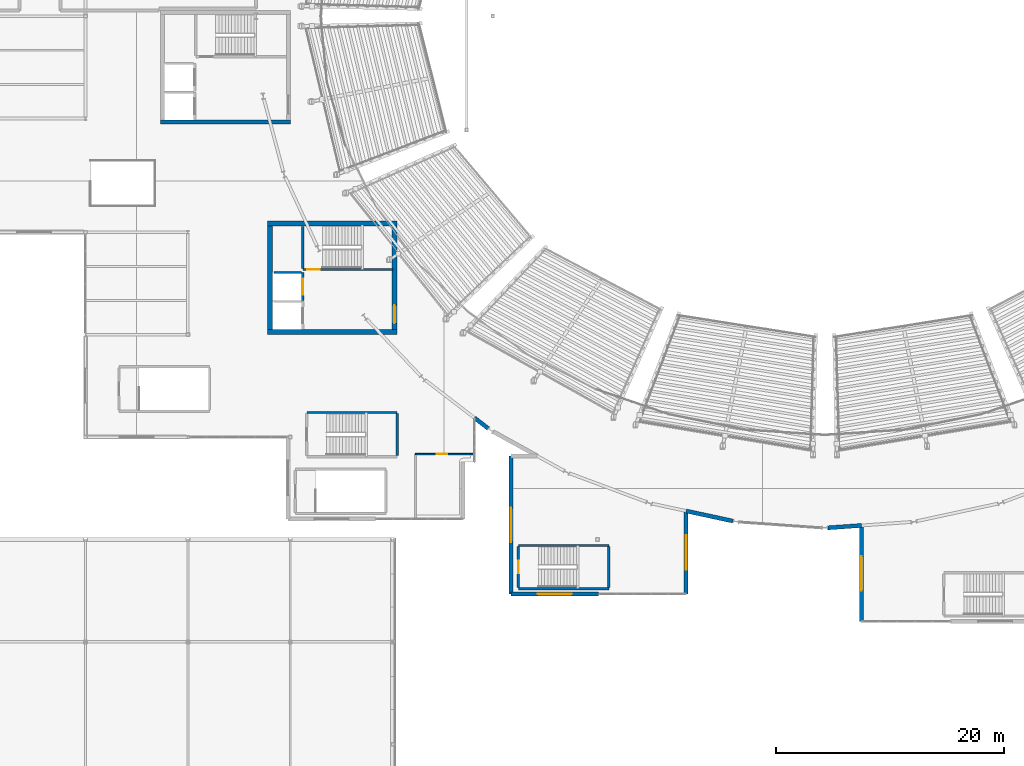
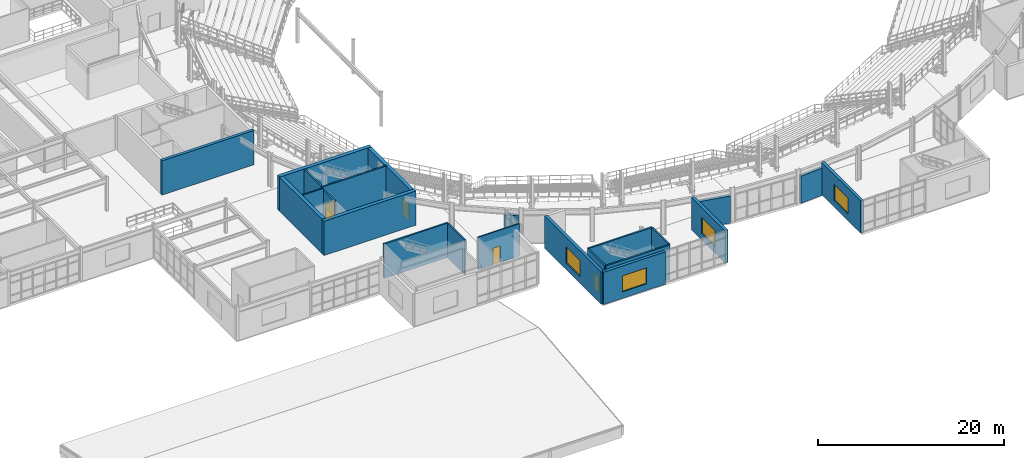
# One storey, part 54 of 81: 23 walls, 5 doors, 4 windows, 9 openings.
"""IFC4 building model written with IfcOpenShell, lengths in metres."""

from ifc_helpers import new_model, si_unit, direction, frame, frame_2d, origin, place, context, subcontext, project, spatial, rectangle, extrude, material, layer, layer_set, type_object, element, fill, save


model = new_model("IFC4")

# Units and contexts
model_context = context("Model", 3, precision=1e-05, world=origin(), true_north=direction((0.0, 1.0)))
body_context = subcontext(model_context, "Body", "Model", "MODEL_VIEW")
ifc_project = project(units=[si_unit("LENGTHUNIT", "METRE"), si_unit("AREAUNIT", "SQUARE_METRE"), si_unit("VOLUMEUNIT", "CUBIC_METRE"), si_unit("PLANEANGLEUNIT", "RADIAN"), si_unit("MASSUNIT", "GRAM", prefix="KILO")], contexts=[model_context])

# Site, building, storey
site_placement = place(None, origin())
site = spatial("IfcSite", under=ifc_project, at=site_placement, CompositionType="ELEMENT")
building_placement = place(site_placement, origin())
building = spatial("IfcBuilding", under=site, at=building_placement, Name="Glasvene Arena", CompositionType="ELEMENT")
storey_placement = place(building_placement, frame((0.0, 0.0, 15.0)))
storey = spatial("IfcBuildingStorey", under=building, at=storey_placement, Name="L03", CompositionType="ELEMENT", Elevation=15.0)

# Walls
ifc_material_1 = material(Name="Concrete C40/50", Category="concrete")
ifc_layer_1 = layer(ifc_material_1, 0.35009765625)
ifc_layer_set_1 = layer_set([ifc_layer_1], Name="Concrete C40/50")
wall_type_1 = type_object("IfcWallType", Name="WL-CORE-350", PredefinedType="SHEAR", material=ifc_layer_set_1)
wall_1_placement = place(storey_placement, frame((33.60009765625, 63.675048828125, 0.0), z_axis=(0.0, 0.0, 1.0), x_axis=(1.0, 0.0, 0.0)))
element("IfcWall", 1, at=wall_1_placement, inside=storey, type_object=wall_type_1, Name="Core C5 West Media shear wall S L03", PredefinedType="SHEAR", context=body_context, shape_type="SweptSolid", body=[
    extrude(rectangle(XDim=11.39990234375, YDim=0.35009765625, at=frame_2d((5.699951171875, 0.0))), origin(), (0.0, 0.0, 1.0), 4.5),
])
ifc_layer_2 = layer(ifc_material_1, 0.449951171875)
ifc_layer_set_2 = layer_set([ifc_layer_2], Name="Concrete C40/50")
wall_type_2 = type_object("IfcWallType", Name="WL-CORE-450", PredefinedType="SHEAR", material=ifc_layer_set_2)
for number, where, z_axis, x_axis, name in (
    (2, (43.0, 45.22509765625, 0.0), (0.0, 0.0, 1.0), (1.0, 0.0, 0.0), "Core C3 South-West shear wall S L03"),
    (3, (43.0, 54.77490234375, 0.0), (0.0, 0.0, 1.0), (1.0, 0.0, 0.0), "Core C3 South-West shear wall N L03"),
):
    element("IfcWall", number, at=place(storey_placement, frame(where, z_axis=z_axis, x_axis=x_axis)), inside=storey, type_object=wall_type_2, Name=name, PredefinedType="SHEAR", context=body_context, shape_type="SweptSolid", body=[
        extrude(rectangle(XDim=11.39990234375, YDim=0.449951171875, at=frame_2d((5.699951171875, 0.0))), origin(), (0.0, 0.0, 1.0), 4.5),
    ])
wall_2_placement = place(storey_placement, frame((43.22509765625, 45.449951171875, 0.0), z_axis=(0.0, 0.0, 1.0), x_axis=(0.0, 1.0, 0.0)))
element("IfcWall", 4, at=wall_2_placement, inside=storey, type_object=wall_type_2, Name="Core C3 South-West shear wall W L03", PredefinedType="SHEAR", context=body_context, shape_type="SweptSolid", body=[
    extrude(rectangle(XDim=9.10009765625, YDim=0.449951171875, at=frame_2d((4.550048828125, 0.0))), origin(), (0.0, 0.0, 1.0), 4.5),
])

# Wall, opening, door
wall_3_placement = place(storey_placement, frame((54.175048828125, 45.449951171875, 0.0), z_axis=(0.0, 0.0, 1.0), x_axis=(0.0, 1.0, 0.0)))
wall_3 = element("IfcWall", 5, at=wall_3_placement, inside=storey, type_object=wall_type_2, Name="Core C3 South-West shear wall E L03", PredefinedType="SHEAR", context=body_context, shape_type="SweptSolid", body=[
    extrude(rectangle(XDim=9.10009765625, YDim=0.449951171875, at=frame_2d((4.550048828125, 0.0))), origin(), (0.0, 0.0, 1.0), 4.5),
])
opening_1_placement = place(wall_3_placement, frame((0.550048828125, 0.0, 0.0)))
opening_1 = element("IfcOpeningElement", 6, at=opening_1_placement, cuts=wall_3, Name="Opening D-02", PredefinedType="OPENING", context=body_context, shape_type="SweptSolid", body=[
    extrude(rectangle(XDim=1.60009765625, YDim=2.199951171875, at=frame_2d((0.800048828125, 1.10009765625))), frame((0.0, 0.23486328125, 0.0), z_axis=(0.0, -1.0, 0.0), x_axis=(1.0, 0.0, 0.0)), (0.0, 0.0, 1.0), 0.469970703125),
])
ifc_material_2 = material(Name="Painted fire-resisting steel", Category="steel")
door_type_1 = type_object("IfcDoorType", Name="DR-FD60-1600", OperationType="DOUBLE_DOOR_SINGLE_SWING", PredefinedType="DOOR", material=ifc_material_2)
door_1_placement = place(opening_1_placement, frame((1.60009765625, 0.0, 0.0), z_axis=(0.0, 0.0, 1.0), x_axis=(-1.0, 0.0, 0.0)))
door_1 = element("IfcDoor", 7, at=door_1_placement, inside=storey, type_object=door_type_1, Name="Core firefighting lobby concourse door C3-L03", OperationType="DOUBLE_DOOR_SINGLE_SWING", OverallHeight=2.199951171875, OverallWidth=1.60009765625, PredefinedType="DOOR", context=body_context, shape_type="SweptSolid", body=[
    extrude(rectangle(XDim=1.60009765625, YDim=2.199951171875, at=frame_2d((0.800048828125, 1.10009765625))), frame((0.0, 0.02490234375, 0.0), z_axis=(0.0, -1.0, 0.0), x_axis=(1.0, 0.0, 0.0)), (0.0, 0.0, 1.0), 0.050048828125),
])
fill(opening_1, door_1)

# Wall, opening, window
ifc_material_3 = material(Name="Coursed pale Irish limestone", Category="masonry")
ifc_layer_3 = layer(ifc_material_3, 0.360107421875)
ifc_layer_set_3 = layer_set([ifc_layer_3], Name="Coursed pale Irish limestone")
wall_type_3 = type_object("IfcWallType", Name="WL-EXT-LIM-360", PredefinedType="STANDARD", material=ifc_layer_set_3)
wall_4_placement = place(storey_placement, frame((95.199951171875, 19.800048828125, 0.0), z_axis=(0.0, 0.0, 1.0), x_axis=(0.0, 1.0, 0.0)))
wall_4 = element("IfcWall", 8, at=wall_4_placement, inside=storey, type_object=wall_type_3, Name="External facade wall EW-L03-0222", PredefinedType="STANDARD", context=body_context, shape_type="SweptSolid", body=[
    extrude(rectangle(XDim=8.4267578125, YDim=0.360107421875, at=frame_2d((4.21337890625, 0.0))), origin(), (0.0, 0.0, 1.0), 4.25),
])
opening_2_placement = place(wall_4_placement, frame((2.712890625, 0.0, 0.85009765625)))
opening_2 = element("IfcOpeningElement", 9, at=opening_2_placement, cuts=wall_4, Name="Opening W-08", PredefinedType="OPENING", context=body_context, shape_type="SweptSolid", body=[
    extrude(rectangle(XDim=3.0, YDim=2.10009765625, at=frame_2d((1.5, 1.050048828125))), frame((0.0, 0.18994140625, 0.0), z_axis=(0.0, -1.0, 0.0), x_axis=(1.0, 0.0, 0.0)), (0.0, 0.0, 1.0), 0.380126953125),
])
ifc_material_4 = material(Name="Low-emissivity laminated double glazing", Category="glass")
window_type = type_object("IfcWindowType", Name="WN-SUITE-300x210", PartitioningType="DOUBLE_PANEL_VERTICAL", PredefinedType="WINDOW", material=ifc_material_4)
window_1_placement = place(opening_2_placement, origin())
window_1 = element("IfcWindow", 10, at=window_1_placement, inside=storey, type_object=window_type, Name="Facade window WN-SUITE-300x210 L03-0144", OverallHeight=2.10009765625, OverallWidth=3.0, PartitioningType="SINGLE_PANEL", PredefinedType="WINDOW", context=body_context, shape_type="SweptSolid", body=[
    extrude(rectangle(XDim=3.0, YDim=2.10009765625, at=frame_2d((1.5, 1.050048828125))), frame((0.0, 0.030029296875, 0.0), z_axis=(0.0, -1.0, 0.0), x_axis=(1.0, 0.0, 0.0)), (0.0, 0.0, 1.0), 0.06005859375),
])
fill(opening_2, window_1)

# Walls
wall_5_placement = place(storey_placement, frame((95.199951171875, 28.226806640625, 0.0), z_axis=(0.0, 0.0, 1.0), x_axis=(-0.997499794668, -0.070669368456, 0.0)))
element("IfcWall", 11, at=wall_5_placement, inside=storey, type_object=wall_type_3, Name="External facade wall EW-L03-0223", PredefinedType="STANDARD", context=body_context, shape_type="SweptSolid", body=[
    extrude(rectangle(XDim=2.943359375, YDim=0.360107421875, at=frame_2d((1.4716796875, 0.0))), origin(), (0.0, 0.0, 1.0), 3.5615234375),
])
wall_6_placement = place(storey_placement, frame((83.920166015625, 28.60986328125, 0.0), z_axis=(0.0, 0.0, 1.0), x_axis=(-0.977448427312, 0.211174269138, 0.0)))
element("IfcWall", 12, at=wall_6_placement, inside=storey, type_object=wall_type_3, Name="External facade wall EW-L03-0224", PredefinedType="STANDARD", context=body_context, shape_type="SweptSolid", body=[
    extrude(rectangle(XDim=4.215087890625, YDim=0.360107421875, at=frame_2d((2.107421875, 0.0))), origin(), (0.0, 0.0, 1.0), 3.5615234375),
])

# Wall, opening, window
wall_7_placement = place(storey_placement, frame((79.800048828125, 29.5, 0.0), z_axis=(0.0, 0.0, 1.0), x_axis=(0.0, -1.0, 0.0)))
wall_7 = element("IfcWall", 13, at=wall_7_placement, inside=storey, type_object=wall_type_3, Name="External facade wall EW-L03-0225", PredefinedType="STANDARD", context=body_context, shape_type="SweptSolid", body=[
    extrude(rectangle(XDim=7.300048828125, YDim=0.360107421875, at=frame_2d((3.64990234375, 0.0))), origin(), (0.0, 0.0, 1.0), 4.25),
])
opening_3_placement = place(wall_7_placement, frame((2.14990234375, 0.0, 0.85009765625)))
opening_3 = element("IfcOpeningElement", 14, at=opening_3_placement, cuts=wall_7, Name="Opening W-08", PredefinedType="OPENING", context=body_context, shape_type="SweptSolid", body=[
    extrude(rectangle(XDim=3.0, YDim=2.10009765625, at=frame_2d((1.5, 1.050048828125))), frame((0.0, 0.18994140625, 0.0), z_axis=(0.0, -1.0, 0.0), x_axis=(1.0, 0.0, 0.0)), (0.0, 0.0, 1.0), 0.380126953125),
])
window_2_placement = place(opening_3_placement, origin())
window_2 = element("IfcWindow", 15, at=window_2_placement, inside=storey, type_object=window_type, Name="Facade window WN-SUITE-300x210 L03-0145", OverallHeight=2.10009765625, OverallWidth=3.0, PartitioningType="SINGLE_PANEL", PredefinedType="WINDOW", context=body_context, shape_type="SweptSolid", body=[
    extrude(rectangle(XDim=3.0, YDim=2.10009765625, at=frame_2d((1.5, 1.050048828125))), frame((0.0, 0.030029296875, 0.0), z_axis=(0.0, -1.0, 0.0), x_axis=(1.0, 0.0, 0.0)), (0.0, 0.0, 1.0), 0.06005859375),
])
fill(opening_3, window_2)

wall_8_placement = place(storey_placement, frame((72.10009765625, 22.199951171875, 0.0), z_axis=(0.0, 0.0, 1.0), x_axis=(-1.0, 0.0, 0.0)))
wall_8 = element("IfcWall", 16, at=wall_8_placement, inside=storey, type_object=wall_type_3, Name="External facade wall EW-L03-0226", PredefinedType="STANDARD", context=body_context, shape_type="SweptSolid", body=[
    extrude(rectangle(XDim=7.7001953125, YDim=0.360107421875, at=frame_2d((3.85009765625, 0.0))), origin(), (0.0, 0.0, 1.0), 4.25),
])
opening_4_placement = place(wall_8_placement, frame((2.35009765625, 0.0, 0.85009765625)))
opening_4 = element("IfcOpeningElement", 17, at=opening_4_placement, cuts=wall_8, Name="Opening W-08", PredefinedType="OPENING", context=body_context, shape_type="SweptSolid", body=[
    extrude(rectangle(XDim=3.0, YDim=2.10009765625, at=frame_2d((1.5, 1.050048828125))), frame((0.0, 0.18994140625, 0.0), z_axis=(0.0, -1.0, 0.0), x_axis=(1.0, 0.0, 0.0)), (0.0, 0.0, 1.0), 0.380126953125),
])
window_3_placement = place(opening_4_placement, origin())
window_3 = element("IfcWindow", 18, at=window_3_placement, inside=storey, type_object=window_type, Name="Facade window WN-SUITE-300x210 L03-0146", OverallHeight=2.10009765625, OverallWidth=3.0, PartitioningType="SINGLE_PANEL", PredefinedType="WINDOW", context=body_context, shape_type="SweptSolid", body=[
    extrude(rectangle(XDim=3.0, YDim=2.10009765625, at=frame_2d((1.5, 1.050048828125))), frame((0.0, 0.030029296875, 0.0), z_axis=(0.0, -1.0, 0.0), x_axis=(1.0, 0.0, 0.0)), (0.0, 0.0, 1.0), 0.06005859375),
])
fill(opening_4, window_3)

wall_9_placement = place(storey_placement, frame((64.39990234375, 22.199951171875, 0.0), z_axis=(0.0, 0.0, 1.0), x_axis=(0.0, 1.0, 0.0)))
wall_9 = element("IfcWall", 19, at=wall_9_placement, inside=storey, type_object=wall_type_3, Name="External facade wall EW-L03-0227", PredefinedType="STANDARD", context=body_context, shape_type="SweptSolid", body=[
    extrude(rectangle(XDim=12.150146484375, YDim=0.360107421875, at=frame_2d((6.0751953125, 0.0))), origin(), (0.0, 0.0, 1.0), 4.25),
])
opening_5_placement = place(wall_9_placement, frame((4.574951171875, 0.0, 0.85009765625)))
opening_5 = element("IfcOpeningElement", 20, at=opening_5_placement, cuts=wall_9, Name="Opening W-08", PredefinedType="OPENING", context=body_context, shape_type="SweptSolid", body=[
    extrude(rectangle(XDim=3.0, YDim=2.10009765625, at=frame_2d((1.5, 1.050048828125))), frame((0.0, 0.18994140625, 0.0), z_axis=(0.0, -1.0, 0.0), x_axis=(1.0, 0.0, 0.0)), (0.0, 0.0, 1.0), 0.380126953125),
])
window_4_placement = place(opening_5_placement, origin())
window_4 = element("IfcWindow", 21, at=window_4_placement, inside=storey, type_object=window_type, Name="Facade window WN-SUITE-300x210 L03-0147", OverallHeight=2.10009765625, OverallWidth=3.0, PartitioningType="SINGLE_PANEL", PredefinedType="WINDOW", context=body_context, shape_type="SweptSolid", body=[
    extrude(rectangle(XDim=3.0, YDim=2.10009765625, at=frame_2d((1.5, 1.050048828125))), frame((0.0, 0.030029296875, 0.0), z_axis=(0.0, -1.0, 0.0), x_axis=(1.0, 0.0, 0.0)), (0.0, 0.0, 1.0), 0.06005859375),
])
fill(opening_5, window_4)

# Wall
wall_10_placement = place(storey_placement, frame((62.4013671875, 36.755126953125, 0.0), z_axis=(0.0, 0.0, 1.0), x_axis=(-0.792809615182, 0.609469370907, 0.0)))
element("IfcWall", 22, at=wall_10_placement, inside=storey, type_object=wall_type_3, Name="External facade wall EW-L03-0230", PredefinedType="STANDARD", context=body_context, shape_type="SweptSolid", body=[
    extrude(rectangle(XDim=1.515380859375, YDim=0.360107421875, at=frame_2d((0.7578125, 0.0))), origin(), (0.0, 0.0, 1.0), 3.5615234375),
])

# Wall, opening, door
ifc_material_5 = material(Name="Insulated acoustic metal-stud partition")
ifc_layer_4 = layer(ifc_material_5, 0.14990234375)
ifc_layer_set_4 = layer_set([ifc_layer_4], Name="Insulated acoustic metal-stud partition")
wall_type_4 = type_object("IfcWallType", Name="WL-PART-150", PredefinedType="PARTITIONING", material=ifc_layer_set_4)
wall_11_placement = place(storey_placement, frame((56.0, 34.5, 0.0), z_axis=(0.0, 0.0, 1.0), x_axis=(1.0, 0.0, 0.0)))
wall_11 = element("IfcWall", 23, at=wall_11_placement, inside=storey, type_object=wall_type_4, Name="Interior partition wall IW-L03-0254 (Founders Hospitality Suite 01)", PredefinedType="PARTITIONING", context=body_context, shape_type="SweptSolid", body=[
    extrude(rectangle(XDim=5.179931640625, YDim=0.14990234375, at=frame_2d((2.58984375, 0.0))), origin(), (0.0, 0.0, 1.0), 4.25),
])
opening_6_placement = place(wall_11_placement, frame((1.866943359375, 0.0, 0.0)))
opening_6 = element("IfcOpeningElement", 24, at=opening_6_placement, cuts=wall_11, Name="Opening D-12", PredefinedType="OPENING", context=body_context, shape_type="SweptSolid", body=[
    extrude(rectangle(XDim=0.919921875, YDim=2.14990234375, at=frame_2d((0.4599609375, 1.074951171875))), frame((0.0, 0.0849609375, 0.0), z_axis=(0.0, -1.0, 0.0), x_axis=(1.0, 0.0, 0.0)), (0.0, 0.0, 1.0), 0.169921875),
])
ifc_material_6 = material(Name="European oak acoustic timber", Category="wood")
door_type_2 = type_object("IfcDoorType", Name="DR-SUITE-920", OperationType="NOTDEFINED", PredefinedType="DOOR", material=ifc_material_6)
door_2_placement = place(opening_6_placement, origin())
door_2 = element("IfcDoor", 25, at=door_2_placement, inside=storey, type_object=door_type_2, Name="Interior door DR-SUITE-920 (Founders Hospitality Suite 01)", OperationType="SINGLE_SWING_RIGHT", OverallHeight=2.14990234375, OverallWidth=0.919921875, PredefinedType="DOOR", context=body_context, shape_type="SweptSolid", body=[
    extrude(rectangle(XDim=0.919921875, YDim=2.14990234375, at=frame_2d((0.4599609375, 1.074951171875))), frame((0.0, 0.02490234375, 0.0), z_axis=(0.0, -1.0, 0.0), x_axis=(1.0, 0.0, 0.0)), (0.0, 0.0, 1.0), 0.050048828125),
])
fill(opening_6, door_2)

ifc_layer_5 = layer(ifc_material_1, 0.199951171875)
ifc_layer_set_5 = layer_set([ifc_layer_5], Name="Concrete C40/50")
wall_type_5 = type_object("IfcWallType", Name="WL-SHAFT-200", PredefinedType="SHEAR", material=ifc_layer_set_5)
wall_12_placement = place(storey_placement, frame((46.10009765625, 48.0, 0.0), z_axis=(0.0, 0.0, 1.0), x_axis=(0.0, 1.0, 0.0)))
wall_12 = element("IfcWall", 26, at=wall_12_placement, inside=storey, type_object=wall_type_5, Name="Lift shaft front wall PL-03 L03", PredefinedType="SHEAR", context=body_context, shape_type="SweptSolid", body=[
    extrude(rectangle(XDim=2.449951171875, YDim=0.199951171875, at=frame_2d((1.22509765625, 0.0))), origin(), (0.0, 0.0, 1.0), 4.25),
])
opening_7_placement = place(wall_12_placement, frame((0.52490234375, 0.0, 0.0)))
opening_7 = element("IfcOpeningElement", 27, at=opening_7_placement, cuts=wall_12, Name="Opening LD-PL", PredefinedType="OPENING", context=body_context, shape_type="SweptSolid", body=[
    extrude(rectangle(XDim=1.39990234375, YDim=2.199951171875, at=frame_2d((0.699951171875, 1.10009765625))), frame((0.0, 0.10986328125, 0.0), z_axis=(0.0, -1.0, 0.0), x_axis=(1.0, 0.0, 0.0)), (0.0, 0.0, 1.0), 0.219970703125),
])
ifc_material_7 = material(Name="Brushed stainless steel", Category="steel")
door_type_3 = type_object("IfcDoorType", Name="LD-PL-1400", OperationType="DOUBLE_DOOR_SLIDING", PredefinedType="DOOR", material=ifc_material_7)
door_3_placement = place(opening_7_placement, origin())
door_3 = element("IfcDoor", 28, at=door_3_placement, inside=storey, type_object=door_type_3, Name="Lift sliding landing door LD-PL-03-L03", OperationType="DOUBLE_DOOR_SLIDING", OverallHeight=2.199951171875, OverallWidth=1.39990234375, PredefinedType="DOOR", context=body_context, shape_type="SweptSolid", body=[
    extrude(rectangle(XDim=1.39990234375, YDim=2.199951171875, at=frame_2d((0.699951171875, 1.10009765625))), frame((0.0, 0.02490234375, 0.0), z_axis=(0.0, -1.0, 0.0), x_axis=(1.0, 0.0, 0.0)), (0.0, 0.0, 1.0), 0.050048828125),
])
fill(opening_7, door_3)

wall_13_placement = place(storey_placement, frame((46.10009765625, 50.72998046875, 0.0), z_axis=(0.0, 0.0, 1.0), x_axis=(1.0, 0.0, 0.0)))
wall_13 = element("IfcWall", 29, at=wall_13_placement, inside=storey, type_object=wall_type_5, Name="Escape stair shaft wall ST-03 L03 S", PredefinedType="SHEAR", context=body_context, shape_type="SweptSolid", body=[
    extrude(rectangle(XDim=7.949951171875, YDim=0.199951171875, at=frame_2d((3.97509765625, 0.0))), origin(), (0.0, 0.0, 1.0), 4.5),
])
opening_8_placement = place(wall_13_placement, frame((0.39990234375, 0.0, 0.0)))
opening_8 = element("IfcOpeningElement", 30, at=opening_8_placement, cuts=wall_13, Name="Opening D-04", PredefinedType="OPENING", context=body_context, shape_type="SweptSolid", body=[
    extrude(rectangle(XDim=1.10009765625, YDim=2.14990234375, at=frame_2d((0.550048828125, 1.074951171875))), frame((0.0, 0.10986328125, 0.0), z_axis=(0.0, -1.0, 0.0), x_axis=(1.0, 0.0, 0.0)), (0.0, 0.0, 1.0), 0.219970703125),
])
door_type_4 = type_object("IfcDoorType", Name="DR-FD60-1100", OperationType="NOTDEFINED", PredefinedType="DOOR", material=ifc_material_2)
door_4_placement = place(opening_8_placement, frame((1.10009765625, 0.0, 0.0), z_axis=(0.0, 0.0, 1.0), x_axis=(-1.0, 0.0, 0.0)))
door_4 = element("IfcDoor", 31, at=door_4_placement, inside=storey, type_object=door_type_4, Name="Protected escape stair door ST-03 L03", OperationType="SINGLE_SWING_RIGHT", OverallHeight=2.14990234375, OverallWidth=1.10009765625, PredefinedType="DOOR", context=body_context, shape_type="SweptSolid", body=[
    extrude(rectangle(XDim=1.10009765625, YDim=2.14990234375, at=frame_2d((0.550048828125, 1.074951171875))), frame((0.0, 0.02490234375, 0.0), z_axis=(0.0, -1.0, 0.0), x_axis=(1.0, 0.0, 0.0)), (0.0, 0.0, 1.0), 0.050048828125),
])
fill(opening_8, door_4)

# Walls
for number, where, z_axis, x_axis, name in (
    (32, (46.10009765625, 50.83203125, 0.0), (0.0, 0.0, 1.0), (0.0, 1.0, 0.0), "Escape stair shaft wall ST-03 L03 W"),
    (33, (54.39990234375, 34.382080078125, 0.0), (0.0, 0.0, 1.0), (0.0, 1.0, 0.0), "Escape stair shaft wall ST-05 L03 E"),
):
    element("IfcWall", number, at=place(storey_placement, frame(where, z_axis=z_axis, x_axis=x_axis)), inside=storey, type_object=wall_type_5, Name=name, PredefinedType="SHEAR", context=body_context, shape_type="SweptSolid", body=[
        extrude(rectangle(XDim=3.68603515625, YDim=0.199951171875, at=frame_2d((1.843017578125, 0.0))), origin(), (0.0, 0.0, 1.0), 4.5),
    ])
for number, where, z_axis, x_axis, name in (
    (34, (46.449951171875, 38.169921875, 0.0), (0.0, 0.0, 1.0), (1.0, 0.0, 0.0), "Escape stair shaft wall ST-05 L03 N"),
    (35, (65.050048828125, 22.679931640625, 0.0), (0.0, 0.0, 1.0), (1.0, 0.0, 0.0), "Escape stair shaft wall ST-08 L03 S"),
):
    element("IfcWall", number, at=place(storey_placement, frame(where, z_axis=z_axis, x_axis=x_axis)), inside=storey, type_object=wall_type_5, Name=name, PredefinedType="SHEAR", context=body_context, shape_type="SweptSolid", body=[
        extrude(rectangle(XDim=7.949951171875, YDim=0.199951171875, at=frame_2d((3.97509765625, 0.0))), origin(), (0.0, 0.0, 1.0), 4.5),
    ])

# Wall, opening, door
wall_14_placement = place(storey_placement, frame((65.050048828125, 22.781982421875, 0.0), z_axis=(0.0, 0.0, 1.0), x_axis=(0.0, 1.0, 0.0)))
wall_14 = element("IfcWall", 36, at=wall_14_placement, inside=storey, type_object=wall_type_5, Name="Escape stair shaft wall ST-08 L03 W", PredefinedType="SHEAR", context=body_context, shape_type="SweptSolid", body=[
    extrude(rectangle(XDim=3.5859375, YDim=0.199951171875, at=frame_2d((1.79296875, 0.0))), origin(), (0.0, 0.0, 1.0), 4.5),
])
opening_9_placement = place(wall_14_placement, frame((1.242919921875, 0.0, 0.0)))
opening_9 = element("IfcOpeningElement", 37, at=opening_9_placement, cuts=wall_14, Name="Opening D-04", PredefinedType="OPENING", context=body_context, shape_type="SweptSolid", body=[
    extrude(rectangle(XDim=1.10009765625, YDim=2.14990234375, at=frame_2d((0.550048828125, 1.074951171875))), frame((0.0, 0.10986328125, 0.0), z_axis=(0.0, -1.0, 0.0), x_axis=(1.0, 0.0, 0.0)), (0.0, 0.0, 1.0), 0.219970703125),
])
door_5_placement = place(opening_9_placement, frame((1.10009765625, 0.0, 0.0), z_axis=(0.0, 0.0, 1.0), x_axis=(-1.0, 0.0, 0.0)))
door_5 = element("IfcDoor", 38, at=door_5_placement, inside=storey, type_object=door_type_4, Name="Protected escape stair door ST-08 L03", OperationType="SINGLE_SWING_RIGHT", OverallHeight=2.14990234375, OverallWidth=1.10009765625, PredefinedType="DOOR", context=body_context, shape_type="SweptSolid", body=[
    extrude(rectangle(XDim=1.10009765625, YDim=2.14990234375, at=frame_2d((0.550048828125, 1.074951171875))), frame((0.0, 0.02490234375, 0.0), z_axis=(0.0, -1.0, 0.0), x_axis=(1.0, 0.0, 0.0)), (0.0, 0.0, 1.0), 0.050048828125),
])
fill(opening_9, door_5)

# Walls
wall_15_placement = place(storey_placement, frame((73.0, 22.781982421875, 0.0), z_axis=(0.0, 0.0, 1.0), x_axis=(0.0, 1.0, 0.0)))
element("IfcWall", 39, at=wall_15_placement, inside=storey, type_object=wall_type_5, Name="Escape stair shaft wall ST-08 L03 E", PredefinedType="SHEAR", context=body_context, shape_type="SweptSolid", body=[
    extrude(rectangle(XDim=3.5859375, YDim=0.199951171875, at=frame_2d((1.79296875, 0.0))), origin(), (0.0, 0.0, 1.0), 4.5),
])
wall_16_placement = place(storey_placement, frame((65.050048828125, 26.469970703125, 0.0), z_axis=(0.0, 0.0, 1.0), x_axis=(1.0, 0.0, 0.0)))
element("IfcWall", 40, at=wall_16_placement, inside=storey, type_object=wall_type_5, Name="Escape stair shaft wall ST-08 L03 N", PredefinedType="SHEAR", context=body_context, shape_type="SweptSolid", body=[
    extrude(rectangle(XDim=7.949951171875, YDim=0.199951171875, at=frame_2d((3.97509765625, 0.0))), origin(), (0.0, 0.0, 1.0), 4.5),
])
ifc_material_8 = material(Name="Moisture-resistant masonry blockwork", Category="masonry")
ifc_layer_6 = layer(ifc_material_8, 0.179931640625)
ifc_layer_set_6 = layer_set([ifc_layer_6], Name="Moisture-resistant masonry blockwork")
wall_type_6 = type_object("IfcWallType", Name="WL-WET-180", PredefinedType="PARTITIONING", material=ifc_layer_set_6)
wall_17_placement = place(storey_placement, frame((43.550048828125, 50.449951171875, 0.0), z_axis=(0.0, 0.0, 1.0), x_axis=(1.0, 0.0, 0.0)))
element("IfcWall", 41, at=wall_17_placement, inside=storey, type_object=wall_type_6, Name="Lift shaft north enclosure wall C3 L03", PredefinedType="PARTITIONING", context=body_context, shape_type="SweptSolid", body=[
    extrude(rectangle(XDim=2.449951171875, YDim=0.179931640625, at=frame_2d((1.22509765625, 0.0))), origin(), (0.0, 0.0, 1.0), 4.5),
])

save(model, "model.ifc")
